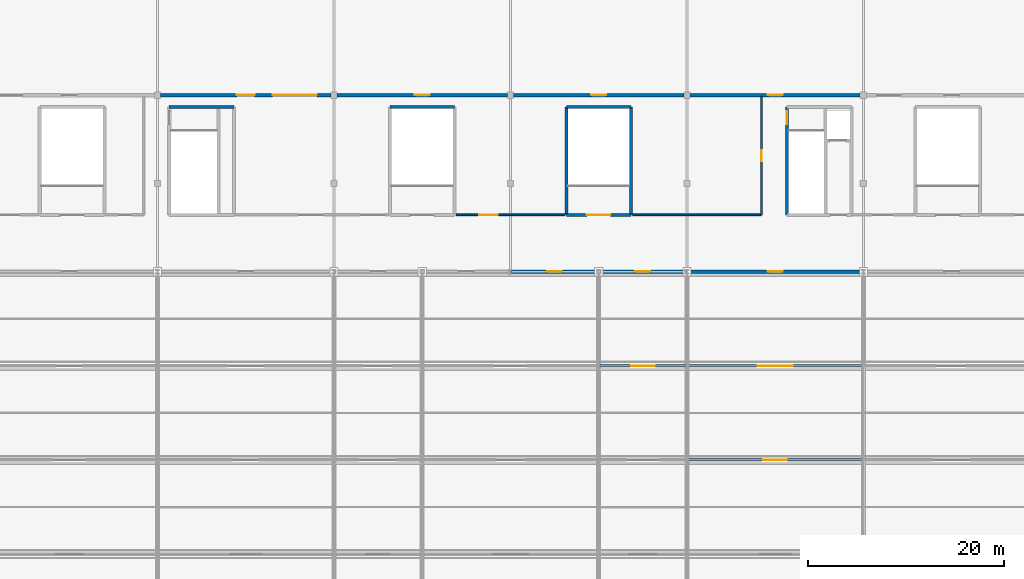
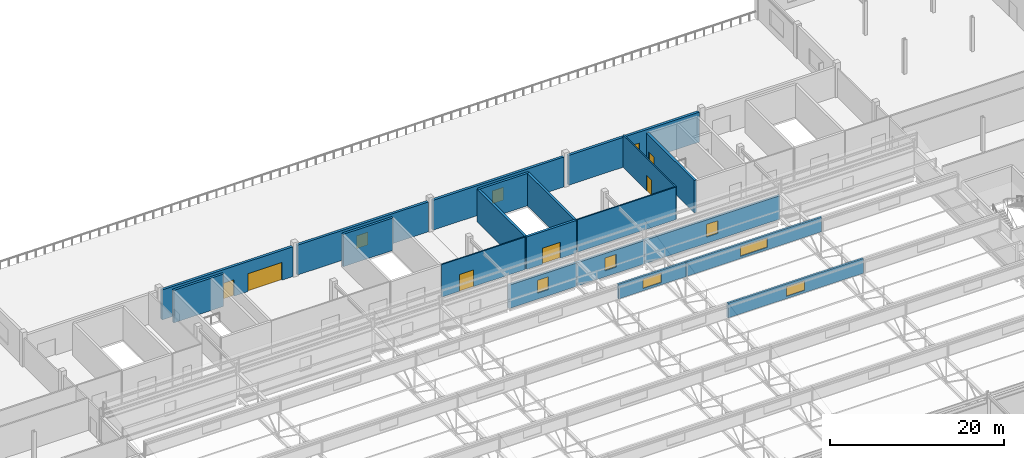
# One storey, part 102 of 136: 20 walls, 9 windows, 6 doors, 15 openings.
"""IFC4 building model written with IfcOpenShell, lengths in metres."""

from ifc_helpers import new_model, si_unit, direction, frame, frame_2d, origin, place, context, subcontext, project, spatial, rectangle, extrude, material, layer, layer_set, type_object, element, fill, save


model = new_model("IFC4")

# Units and contexts
model_context = context("Model", 3, precision=1e-05, world=origin(), true_north=direction((0.0, 1.0)))
body_context = subcontext(model_context, "Body", "Model", "MODEL_VIEW")
ifc_project = project(units=[si_unit("LENGTHUNIT", "METRE"), si_unit("AREAUNIT", "SQUARE_METRE"), si_unit("VOLUMEUNIT", "CUBIC_METRE"), si_unit("PLANEANGLEUNIT", "RADIAN"), si_unit("MASSUNIT", "GRAM", prefix="KILO")], contexts=[model_context])

# Site, building, storey
site_placement = place(None, origin())
site = spatial("IfcSite", under=ifc_project, at=site_placement, CompositionType="ELEMENT")
building_placement = place(site_placement, origin())
building = spatial("IfcBuilding", under=site, at=building_placement, Name="Kisiwana Market Hall", CompositionType="ELEMENT")
storey_placement = place(building_placement, frame((0.0, 0.0, 16.800048828125)))
storey = spatial("IfcBuildingStorey", under=building, at=storey_placement, Name="L03", CompositionType="ELEMENT", Elevation=16.800048828125)

# Wall
ifc_material_1 = material(Name="Concrete C40/50", Category="concrete")
ifc_layer_1 = layer(ifc_material_1, 0.320068359375, Name="Reinforced concrete shaft wall")
ifc_layer_set_1 = layer_set([ifc_layer_1], Name="WL-CORE-320")
wall_type_1 = type_object("IfcWallType", Name="WL-CORE-320", PredefinedType="SHEAR", material=ifc_layer_set_1)
wall_1_placement = place(storey_placement, frame((64.199951171875, 100.800048828125, 0.0), z_axis=(0.0, 0.0, 1.0), x_axis=(1.0, 0.0, 0.0)))
element("IfcWall", 1, at=wall_1_placement, inside=storey, type_object=wall_type_1, Name="Core N1 north wall W-1232", PredefinedType="SHEAR", context=body_context, shape_type="SweptSolid", body=[
    extrude(rectangle(XDim=6.60009765625, YDim=0.320068359375, at=frame_2d((3.300048828125, 0.0))), origin(), (0.0, 0.0, 1.0), 4.554931640625),
])

# Wall, opening, door
wall_2_placement = place(storey_placement, frame((127.199951171875, 89.800048828125, 0.0), z_axis=(0.0, 0.0, 1.0), x_axis=(0.0, 1.0, 0.0)))
wall_2 = element("IfcWall", 2, at=wall_2_placement, inside=storey, type_object=wall_type_1, Name="Core N2 west wall W-1238", PredefinedType="SHEAR", context=body_context, shape_type="SweptSolid", body=[
    extrude(rectangle(XDim=11.0, YDim=0.320068359375, at=frame_2d((5.5, 0.0))), origin(), (0.0, 0.0, 1.0), 4.554931640625),
])
opening_1_placement = place(wall_2_placement, frame((9.25, 0.0, 0.0)))
opening_1 = element("IfcOpeningElement", 3, at=opening_1_placement, cuts=wall_2, Name="Opening DR-L03-017", PredefinedType="OPENING", context=body_context, shape_type="SweptSolid", body=[
    extrude(rectangle(XDim=1.300048828125, YDim=2.199951171875, at=frame_2d((0.64990234375, 1.10009765625))), frame((0.0, 0.171875, 0.0), z_axis=(0.0, -1.0, 0.0), x_axis=(1.0, 0.0, 0.0)), (0.0, 0.0, 1.0), 0.343994140625),
])
ifc_material_2 = material(Name="Steel S275", Category="steel")
door_type_1 = type_object("IfcDoorType", Name="DR-STAIR-FD120-1300", OperationType="NOTDEFINED", PredefinedType="DOOR", material=ifc_material_2)
door_1_placement = place(opening_1_placement, origin())
door_1 = element("IfcDoor", 4, at=door_1_placement, inside=storey, type_object=door_type_1, Name="Podium Escape Stair N2 Fire Door (L03)", OperationType="SINGLE_SWING_RIGHT", OverallHeight=2.199951171875, OverallWidth=1.300048828125, PredefinedType="DOOR", context=body_context, shape_type="SweptSolid", body=[
    extrude(rectangle(XDim=1.300048828125, YDim=2.199951171875, at=frame_2d((0.64990234375, 1.10009765625))), frame((0.0, 0.02490234375, 0.0), z_axis=(0.0, -1.0, 0.0), x_axis=(1.0, 0.0, 0.0)), (0.0, 0.0, 1.0), 0.050048828125),
])
fill(opening_1, door_1)

# Wall
wall_3_placement = place(storey_placement, frame((86.699951171875, 100.800048828125, 0.0), z_axis=(0.0, 0.0, 1.0), x_axis=(1.0, 0.0, 0.0)))
element("IfcWall", 5, at=wall_3_placement, inside=storey, type_object=wall_type_1, Name="Core N4 outer shear wall W-1319", PredefinedType="SHEAR", context=body_context, shape_type="SweptSolid", body=[
    extrude(rectangle(XDim=6.60009765625, YDim=0.320068359375, at=frame_2d((3.300048828125, 0.0))), origin(), (0.0, 0.0, 1.0), 4.554931640625),
])

# Wall, opening, door
wall_4_placement = place(storey_placement, frame((104.699951171875, 89.800048828125, 0.0), z_axis=(0.0, 0.0, 1.0), x_axis=(1.0, 0.0, 0.0)))
wall_4 = element("IfcWall", 6, at=wall_4_placement, inside=storey, type_object=wall_type_1, Name="Core N5 corridor shear wall W-1326", PredefinedType="SHEAR", context=body_context, shape_type="SweptSolid", body=[
    extrude(rectangle(XDim=6.60009765625, YDim=0.320068359375, at=frame_2d((3.300048828125, 0.0))), origin(), (0.0, 0.0, 1.0), 4.554931640625),
])
opening_2_placement = place(wall_4_placement, frame((2.10009765625, 0.0, 0.0)))
opening_2 = element("IfcOpeningElement", 7, at=opening_2_placement, cuts=wall_4, Name="Opening DR-L03-038", PredefinedType="OPENING", context=body_context, shape_type="SweptSolid", body=[
    extrude(rectangle(XDim=2.39990234375, YDim=2.25, at=frame_2d((1.199951171875, 1.125))), frame((0.0, 0.171875, 0.0), z_axis=(0.0, -1.0, 0.0), x_axis=(1.0, 0.0, 0.0)), (0.0, 0.0, 1.0), 0.343994140625),
])
ifc_material_3 = material(Name="Steel S275", Category="steel")
door_type_2 = type_object("IfcDoorType", Name="DR-STAIR-FD120-2400", OperationType="DOUBLE_DOOR_SINGLE_SWING", PredefinedType="DOOR", material=ifc_material_3)
door_2_placement = place(opening_2_placement, origin())
door_2 = element("IfcDoor", 8, at=door_2_placement, inside=storey, type_object=door_type_2, Name="Escape Stair N5 Fire Door (L03)", OperationType="DOUBLE_DOOR_SINGLE_SWING", OverallHeight=2.25, OverallWidth=2.39990234375, PredefinedType="DOOR", context=body_context, shape_type="SweptSolid", body=[
    extrude(rectangle(XDim=2.39990234375, YDim=2.25, at=frame_2d((1.199951171875, 1.125))), frame((0.0, 0.02490234375, 0.0), z_axis=(0.0, -1.0, 0.0), x_axis=(1.0, 0.0, 0.0)), (0.0, 0.0, 1.0), 0.050048828125),
])
fill(opening_2, door_2)

# Walls
wall_5_placement = place(storey_placement, frame((104.699951171875, 100.800048828125, 0.0), z_axis=(0.0, 0.0, 1.0), x_axis=(1.0, 0.0, 0.0)))
element("IfcWall", 9, at=wall_5_placement, inside=storey, type_object=wall_type_1, Name="Core N5 outer shear wall W-1327", PredefinedType="SHEAR", context=body_context, shape_type="SweptSolid", body=[
    extrude(rectangle(XDim=6.60009765625, YDim=0.320068359375, at=frame_2d((3.300048828125, 0.0))), origin(), (0.0, 0.0, 1.0), 4.554931640625),
])
for number, where, z_axis, x_axis, name in (
    (10, (104.699951171875, 89.800048828125, 0.0), (0.0, 0.0, 1.0), (0.0, 1.0, 0.0), "Core N5 west shear wall W-1328"),
    (11, (111.300048828125, 89.800048828125, 0.0), (0.0, 0.0, 1.0), (0.0, 1.0, 0.0), "Core N5 east shear wall W-1329"),
):
    element("IfcWall", number, at=place(storey_placement, frame(where, z_axis=z_axis, x_axis=x_axis)), inside=storey, type_object=wall_type_1, Name=name, PredefinedType="SHEAR", context=body_context, shape_type="SweptSolid", body=[
        extrude(rectangle(XDim=11.0, YDim=0.320068359375, at=frame_2d((5.5, 0.0))), origin(), (0.0, 0.0, 1.0), 4.554931640625),
    ])

# Wall, opening, door
ifc_material_4 = material(Name="Masonry blockwork", Category="masonry")
ifc_layer_2 = layer(ifc_material_4, 0.169921875, Name="Protected corridor partition")
ifc_layer_set_2 = layer_set([ifc_layer_2], Name="WL-CORR-170")
wall_type_2 = type_object("IfcWallType", Name="WL-CORR-170", PredefinedType="PARTITIONING", material=ifc_layer_set_2)
wall_6_placement = place(storey_placement, frame((124.60009765625, 89.800048828125, 0.0), z_axis=(0.0, 0.0, 1.0), x_axis=(0.0, 1.0, 0.0)))
wall_6 = element("IfcWall", 12, at=wall_6_placement, inside=storey, type_object=wall_type_2, Name="Interior partition W-1504", PredefinedType="PARTITIONING", context=body_context, shape_type="SweptSolid", body=[
    extrude(rectangle(XDim=12.030029296875, YDim=0.169921875, at=frame_2d((6.01513671875, 0.0))), origin(), (0.0, 0.0, 1.0), 4.554931640625),
])
opening_3_placement = place(wall_6_placement, frame((5.449951171875, 0.0, 0.0)))
opening_3 = element("IfcOpeningElement", 13, at=opening_3_placement, cuts=wall_6, Name="Opening DR-L03-096", PredefinedType="OPENING", context=body_context, shape_type="SweptSolid", body=[
    extrude(rectangle(XDim=1.14990234375, YDim=2.14990234375, at=frame_2d((0.574951171875, 1.074951171875))), frame((0.0, 0.096923828125, 0.0), z_axis=(0.0, -1.0, 0.0), x_axis=(1.0, 0.0, 0.0)), (0.0, 0.0, 1.0), 0.19384765625),
])
ifc_material_5 = material(Name="Aluminium alloy 6063-T6", Category="aluminium")
door_type_3 = type_object("IfcDoorType", Name="DR-MEET-1150", OperationType="NOTDEFINED", PredefinedType="DOOR", material=ifc_material_5)
door_3_placement = place(opening_3_placement, origin())
door_3 = element("IfcDoor", 14, at=door_3_placement, inside=storey, type_object=door_type_3, Name="L03 E North Podium Briefing Suite Door", OperationType="SINGLE_SWING_LEFT", OverallHeight=2.14990234375, OverallWidth=1.14990234375, PredefinedType="DOOR", context=body_context, shape_type="SweptSolid", body=[
    extrude(rectangle(XDim=1.14990234375, YDim=2.14990234375, at=frame_2d((0.574951171875, 1.074951171875))), frame((0.0, 0.02490234375, 0.0), z_axis=(0.0, -1.0, 0.0), x_axis=(1.0, 0.0, 0.0)), (0.0, 0.0, 1.0), 0.050048828125),
])
fill(opening_3, door_3)

wall_7_placement = place(storey_placement, frame((93.4599609375, 89.800048828125, 0.0), z_axis=(0.0, 0.0, 1.0), x_axis=(1.0, 0.0, 0.0)))
wall_7 = element("IfcWall", 15, at=wall_7_placement, inside=storey, type_object=wall_type_2, Name="Interior partition W-1506", PredefinedType="PARTITIONING", context=body_context, shape_type="SweptSolid", body=[
    extrude(rectangle(XDim=11.080078125, YDim=0.169921875, at=frame_2d((5.5400390625, 0.0))), origin(), (0.0, 0.0, 1.0), 4.554931640625),
])
opening_4_placement = place(wall_7_placement, frame((2.340087890625, 0.0, 0.0)))
opening_4 = element("IfcOpeningElement", 16, at=opening_4_placement, cuts=wall_7, Name="Opening DR-L03-099", PredefinedType="OPENING", context=body_context, shape_type="SweptSolid", body=[
    extrude(rectangle(XDim=1.89990234375, YDim=2.35009765625, at=frame_2d((0.949951171875, 1.175048828125))), frame((0.0, 0.096923828125, 0.0), z_axis=(0.0, -1.0, 0.0), x_axis=(1.0, 0.0, 0.0)), (0.0, 0.0, 1.0), 0.19384765625),
])
ifc_material_6 = material(Name="Steel S275", Category="steel")
door_type_4 = type_object("IfcDoorType", Name="DR-HALL-1900", OperationType="DOUBLE_DOOR_SINGLE_SWING", PredefinedType="DOOR", material=ifc_material_6)
door_4_placement = place(opening_4_placement, origin())
door_4 = element("IfcDoor", 17, at=door_4_placement, inside=storey, type_object=door_type_4, Name="L03 North Briefing Suite Door", OperationType="DOUBLE_DOOR_SINGLE_SWING", OverallHeight=2.35009765625, OverallWidth=1.89990234375, PredefinedType="DOOR", context=body_context, shape_type="SweptSolid", body=[
    extrude(rectangle(XDim=1.89990234375, YDim=2.35009765625, at=frame_2d((0.949951171875, 1.175048828125))), frame((0.0, 0.02490234375, 0.0), z_axis=(0.0, -1.0, 0.0), x_axis=(1.0, 0.0, 0.0)), (0.0, 0.0, 1.0), 0.050048828125),
])
fill(opening_4, door_4)

# Wall
wall_8_placement = place(storey_placement, frame((111.4599609375, 89.800048828125, 0.0), z_axis=(0.0, 0.0, 1.0), x_axis=(1.0, 0.0, 0.0)))
element("IfcWall", 18, at=wall_8_placement, inside=storey, type_object=wall_type_2, Name="Interior partition W-1507", PredefinedType="PARTITIONING", context=body_context, shape_type="SweptSolid", body=[
    extrude(rectangle(XDim=13.14013671875, YDim=0.169921875, at=frame_2d((6.570068359375, 0.0))), origin(), (0.0, 0.0, 1.0), 4.554931640625),
])

# Wall, opening, window
ifc_material_7 = material(Name="Aluminium alloy 6063-T6", Category="aluminium")
ifc_layer_3 = layer(ifc_material_7, 0.06005859375, Name="Insulated metal-clad clerestory wall")
ifc_material_8 = material(Name="Mineral wool insulation")
ifc_layer_4 = layer(ifc_material_8, 0.10009765625, Name="Mineral wool core")
ifc_material_9 = material(Name="Masonry blockwork", Category="masonry")
ifc_layer_5 = layer(ifc_material_9, 0.10009765625, Name="Masonry backing")
ifc_layer_set_3 = layer_set([ifc_layer_3, ifc_layer_4, ifc_layer_5], Name="WL-EXT-CLER-260")
wall_type_3 = type_object("IfcWallType", Name="WL-EXT-CLER-260", PredefinedType="STANDARD", material=ifc_layer_set_3)
wall_9_placement = place(storey_placement, frame((117.0, 64.800048828125, 4.0048828125), z_axis=(0.0, 0.0, 1.0), x_axis=(1.0, 0.0, 0.0)))
wall_9 = element("IfcWall", 19, at=wall_9_placement, inside=storey, type_object=wall_type_3, Name="Sawtooth clerestory wall W-1429", PredefinedType="STANDARD", context=body_context, shape_type="SweptSolid", body=[
    extrude(rectangle(XDim=18.0, YDim=0.260009765625, at=frame_2d((9.0, 0.0))), origin(), (0.0, 0.0, 1.0), 2.049072265625),
])
opening_5_placement = place(wall_9_placement, frame((7.800048828125, 0.0, 0.320068359375)))
opening_5 = element("IfcOpeningElement", 20, at=opening_5_placement, cuts=wall_9, Name="Opening W-42", PredefinedType="OPENING", context=body_context, shape_type="SweptSolid", body=[
    extrude(rectangle(XDim=2.39990234375, YDim=1.35009765625, at=frame_2d((1.199951171875, 0.675048828125))), frame((0.0, 0.14208984375, 0.0), z_axis=(0.0, -1.0, 0.0), x_axis=(1.0, 0.0, 0.0)), (0.0, 0.0, 1.0), 0.283935546875),
])
ifc_material_10 = material(Name="Double-glazed solar-control low-E IGU", Category="glass")
window_type_1 = type_object("IfcWindowType", Name="WN-CLER-2400x1400", PartitioningType="SINGLE_PANEL", PredefinedType="SKYLIGHT", material=ifc_material_10)
window_1_placement = place(opening_5_placement, origin())
window_1 = element("IfcWindow", 21, at=window_1_placement, inside=storey, type_object=window_type_1, Name="North-light sawtooth clerestory WN-060", OverallHeight=1.35009765625, OverallWidth=2.39990234375, PartitioningType="SINGLE_PANEL", PredefinedType="SKYLIGHT", context=body_context, shape_type="SweptSolid", body=[
    extrude(rectangle(XDim=2.39990234375, YDim=1.35009765625, at=frame_2d((1.199951171875, 0.675048828125))), frame((0.0, 0.030029296875, 0.0), z_axis=(0.0, -1.0, 0.0), x_axis=(1.0, 0.0, 0.0)), (0.0, 0.0, 1.0), 0.06005859375),
])
fill(opening_5, window_1)

wall_10_placement = place(storey_placement, frame((108.0, 74.39990234375, 4.0048828125), z_axis=(0.0, 0.0, 1.0), x_axis=(1.0, 0.0, 0.0)))
wall_10 = element("IfcWall", 22, at=wall_10_placement, inside=storey, type_object=wall_type_3, Name="Sawtooth clerestory wall W-1435", PredefinedType="STANDARD", context=body_context, shape_type="SweptSolid", body=[
    extrude(rectangle(XDim=9.0, YDim=0.260009765625, at=frame_2d((4.5, 0.0))), origin(), (0.0, 0.0, 1.0), 2.049072265625),
])
opening_6_placement = place(wall_10_placement, frame((3.300048828125, 0.0, 0.320068359375)))
opening_6 = element("IfcOpeningElement", 23, at=opening_6_placement, cuts=wall_10, Name="Opening W-42", PredefinedType="OPENING", context=body_context, shape_type="SweptSolid", body=[
    extrude(rectangle(XDim=2.39990234375, YDim=1.35009765625, at=frame_2d((1.199951171875, 0.675048828125))), frame((0.0, 0.14208984375, 0.0), z_axis=(0.0, -1.0, 0.0), x_axis=(1.0, 0.0, 0.0)), (0.0, 0.0, 1.0), 0.283935546875),
])
window_2_placement = place(opening_6_placement, origin())
window_2 = element("IfcWindow", 24, at=window_2_placement, inside=storey, type_object=window_type_1, Name="North-light sawtooth clerestory WN-062", OverallHeight=1.35009765625, OverallWidth=2.39990234375, PartitioningType="SINGLE_PANEL", PredefinedType="SKYLIGHT", context=body_context, shape_type="SweptSolid", body=[
    extrude(rectangle(XDim=2.39990234375, YDim=1.35009765625, at=frame_2d((1.199951171875, 0.675048828125))), frame((0.0, 0.030029296875, 0.0), z_axis=(0.0, -1.0, 0.0), x_axis=(1.0, 0.0, 0.0)), (0.0, 0.0, 1.0), 0.06005859375),
])
fill(opening_6, window_2)

wall_11_placement = place(storey_placement, frame((117.0, 74.39990234375, 4.0048828125), z_axis=(0.0, 0.0, 1.0), x_axis=(1.0, 0.0, 0.0)))
wall_11 = element("IfcWall", 25, at=wall_11_placement, inside=storey, type_object=wall_type_3, Name="Sawtooth clerestory wall W-1436", PredefinedType="STANDARD", context=body_context, shape_type="SweptSolid", body=[
    extrude(rectangle(XDim=18.0, YDim=0.260009765625, at=frame_2d((9.0, 0.0))), origin(), (0.0, 0.0, 1.0), 2.049072265625),
])
opening_7_placement = place(wall_11_placement, frame((7.199951171875, 0.0, 0.320068359375)))
opening_7 = element("IfcOpeningElement", 26, at=opening_7_placement, cuts=wall_11, Name="Opening WN-09", PredefinedType="OPENING", context=body_context, shape_type="SweptSolid", body=[
    extrude(rectangle(XDim=3.60009765625, YDim=1.35009765625, at=frame_2d((1.800048828125, 0.675048828125))), frame((0.0, 0.14208984375, 0.0), z_axis=(0.0, -1.0, 0.0), x_axis=(1.0, 0.0, 0.0)), (0.0, 0.0, 1.0), 0.283935546875),
])
ifc_material_11 = material(Name="Double-glazed solar-control low-E IGU", Category="glass")
window_type_2 = type_object("IfcWindowType", Name="WN-CLER-3600x1500", PartitioningType="SINGLE_PANEL", PredefinedType="SKYLIGHT", material=ifc_material_11)
window_3_placement = place(opening_7_placement, origin())
window_3 = element("IfcWindow", 27, at=window_3_placement, inside=storey, type_object=window_type_2, Name="North-light sawtooth clerestory WN-069", OverallHeight=1.35009765625, OverallWidth=3.60009765625, PartitioningType="SINGLE_PANEL", PredefinedType="SKYLIGHT", context=body_context, shape_type="SweptSolid", body=[
    extrude(rectangle(XDim=3.60009765625, YDim=1.35009765625, at=frame_2d((1.800048828125, 0.675048828125))), frame((0.0, 0.030029296875, 0.0), z_axis=(0.0, -1.0, 0.0), x_axis=(1.0, 0.0, 0.0)), (0.0, 0.0, 1.0), 0.06005859375),
])
fill(opening_7, window_3)

ifc_material_12 = material(Name="Concrete C40/50 precast", Category="concrete")
ifc_layer_6 = layer(ifc_material_12, 0.14990234375, Name="Precast architectural concrete spandrel")
ifc_material_13 = material(Name="Mineral wool insulation")
ifc_layer_7 = layer(ifc_material_13, 0.090087890625, Name="Rockwool thermal insulation")
ifc_material_14 = material(Name="Masonry blockwork", Category="masonry")
ifc_layer_8 = layer(ifc_material_14, 0.10009765625, Name="Inner masonry block leaf")
ifc_layer_set_4 = layer_set([ifc_layer_6, ifc_layer_7, ifc_layer_8], Name="WL-EXT-PREC-340")
wall_type_4 = type_object("IfcWallType", Name="WL-EXT-PREC-340", PredefinedType="STANDARD", material=ifc_layer_set_4)
wall_12_placement = place(storey_placement, frame((99.010009765625, 84.0, 0.0), z_axis=(0.0, 0.0, 1.0), x_axis=(1.0, 0.0, 0.0)))
wall_12 = element("IfcWall", 28, at=wall_12_placement, inside=storey, type_object=wall_type_4, Name="Exterior wall W-1364", PredefinedType="STANDARD", context=body_context, shape_type="SweptSolid", body=[
    extrude(rectangle(XDim=8.97998046875, YDim=0.340087890625, at=frame_2d((4.489990234375, 0.0))), origin(), (0.0, 0.0, 1.0), 3.27685546875),
])
opening_8_placement = place(wall_12_placement, frame((3.739990234375, 0.0, 0.85009765625)))
opening_8 = element("IfcOpeningElement", 29, at=opening_8_placement, cuts=wall_12, Name="Opening WN-14", PredefinedType="OPENING", context=body_context, shape_type="SweptSolid", body=[
    extrude(rectangle(XDim=1.5, YDim=1.800048828125, at=frame_2d((0.75, 0.89990234375))), frame((0.0, 0.18212890625, 0.0), z_axis=(0.0, -1.0, 0.0), x_axis=(1.0, 0.0, 0.0)), (0.0, 0.0, 1.0), 0.364013671875),
])
ifc_material_15 = material(Name="Double-glazed solar-control low-E IGU", Category="glass")
window_type_3 = type_object("IfcWindowType", Name="WN-POD-1500x1800", PartitioningType="SINGLE_PANEL", PredefinedType="WINDOW", material=ifc_material_15)
window_4_placement = place(opening_8_placement, origin())
window_4 = element("IfcWindow", 30, at=window_4_placement, inside=storey, type_object=window_type_3, Name="Exterior window WN-095", OverallHeight=1.800048828125, OverallWidth=1.5, PartitioningType="SINGLE_PANEL", PredefinedType="WINDOW", context=body_context, shape_type="SweptSolid", body=[
    extrude(rectangle(XDim=1.5, YDim=1.800048828125, at=frame_2d((0.75, 0.89990234375))), frame((0.0, 0.030029296875, 0.0), z_axis=(0.0, -1.0, 0.0), x_axis=(1.0, 0.0, 0.0)), (0.0, 0.0, 1.0), 0.06005859375),
])
fill(opening_8, window_4)

wall_13_placement = place(storey_placement, frame((108.010009765625, 84.0, 0.0), z_axis=(0.0, 0.0, 1.0), x_axis=(1.0, 0.0, 0.0)))
wall_13 = element("IfcWall", 31, at=wall_13_placement, inside=storey, type_object=wall_type_4, Name="Exterior wall W-1365", PredefinedType="STANDARD", context=body_context, shape_type="SweptSolid", body=[
    extrude(rectangle(XDim=8.97998046875, YDim=0.340087890625, at=frame_2d((4.489990234375, 0.0))), origin(), (0.0, 0.0, 1.0), 3.27685546875),
])
opening_9_placement = place(wall_13_placement, frame((3.739990234375, 0.0, 0.85009765625)))
opening_9 = element("IfcOpeningElement", 32, at=opening_9_placement, cuts=wall_13, Name="Opening WN-14", PredefinedType="OPENING", context=body_context, shape_type="SweptSolid", body=[
    extrude(rectangle(XDim=1.5, YDim=1.800048828125, at=frame_2d((0.75, 0.89990234375))), frame((0.0, 0.18212890625, 0.0), z_axis=(0.0, -1.0, 0.0), x_axis=(1.0, 0.0, 0.0)), (0.0, 0.0, 1.0), 0.364013671875),
])
window_5_placement = place(opening_9_placement, origin())
window_5 = element("IfcWindow", 33, at=window_5_placement, inside=storey, type_object=window_type_3, Name="Exterior window WN-096", OverallHeight=1.800048828125, OverallWidth=1.5, PartitioningType="SINGLE_PANEL", PredefinedType="WINDOW", context=body_context, shape_type="SweptSolid", body=[
    extrude(rectangle(XDim=1.5, YDim=1.800048828125, at=frame_2d((0.75, 0.89990234375))), frame((0.0, 0.030029296875, 0.0), z_axis=(0.0, -1.0, 0.0), x_axis=(1.0, 0.0, 0.0)), (0.0, 0.0, 1.0), 0.06005859375),
])
fill(opening_9, window_5)

wall_14_placement = place(storey_placement, frame((117.010009765625, 84.0, 0.0), z_axis=(0.0, 0.0, 1.0), x_axis=(1.0, 0.0, 0.0)))
wall_14 = element("IfcWall", 34, at=wall_14_placement, inside=storey, type_object=wall_type_4, Name="Exterior wall W-1366", PredefinedType="STANDARD", context=body_context, shape_type="SweptSolid", body=[
    extrude(rectangle(XDim=17.97998046875, YDim=0.340087890625, at=frame_2d((8.989990234375, 0.0))), origin(), (0.0, 0.0, 1.0), 3.27685546875),
])
opening_10_placement = place(wall_14_placement, frame((8.239990234375, 0.0, 0.85009765625)))
opening_10 = element("IfcOpeningElement", 35, at=opening_10_placement, cuts=wall_14, Name="Opening WN-14", PredefinedType="OPENING", context=body_context, shape_type="SweptSolid", body=[
    extrude(rectangle(XDim=1.5, YDim=1.800048828125, at=frame_2d((0.75, 0.89990234375))), frame((0.0, 0.18212890625, 0.0), z_axis=(0.0, -1.0, 0.0), x_axis=(1.0, 0.0, 0.0)), (0.0, 0.0, 1.0), 0.364013671875),
])
window_6_placement = place(opening_10_placement, origin())
window_6 = element("IfcWindow", 36, at=window_6_placement, inside=storey, type_object=window_type_3, Name="Exterior window WN-097", OverallHeight=1.800048828125, OverallWidth=1.5, PartitioningType="SINGLE_PANEL", PredefinedType="WINDOW", context=body_context, shape_type="SweptSolid", body=[
    extrude(rectangle(XDim=1.5, YDim=1.800048828125, at=frame_2d((0.75, 0.89990234375))), frame((0.0, 0.030029296875, 0.0), z_axis=(0.0, -1.0, 0.0), x_axis=(1.0, 0.0, 0.0)), (0.0, 0.0, 1.0), 0.06005859375),
])
fill(opening_10, window_6)

# Wall, openings, doors
wall_15_placement = place(storey_placement, frame((63.31689453125, 102.0, 0.0), z_axis=(0.0, 0.0, 1.0), x_axis=(1.0, 0.0, 0.0)))
wall_15 = element("IfcWall", 37, at=wall_15_placement, inside=storey, type_object=wall_type_4, Name="Exterior wall W-1369", PredefinedType="STANDARD", context=body_context, shape_type="SweptSolid", body=[
    extrude(rectangle(XDim=17.3662109375, YDim=0.340087890625, at=frame_2d((8.68310546875, 0.0))), origin(), (0.0, 0.0, 1.0), 4.195068359375),
])
opening_11_placement = place(wall_15_placement, frame((7.782958984375, 0.0, 0.0)))
opening_11 = element("IfcOpeningElement", 38, at=opening_11_placement, cuts=wall_15, Name="Opening DR-L03-977", PredefinedType="OPENING", context=body_context, shape_type="SweptSolid", body=[
    extrude(rectangle(XDim=1.800048828125, YDim=2.300048828125, at=frame_2d((0.89990234375, 1.14990234375))), frame((0.0, 0.18212890625, 0.0), z_axis=(0.0, -1.0, 0.0), x_axis=(1.0, 0.0, 0.0)), (0.0, 0.0, 1.0), 0.364013671875),
])
opening_12_placement = place(wall_15_placement, frame((11.43310546875, 0.0, 0.0)))
opening_12 = element("IfcOpeningElement", 39, at=opening_12_placement, cuts=wall_15, Name="Opening DR-L03-982", PredefinedType="OPENING", context=body_context, shape_type="SweptSolid", body=[
    extrude(rectangle(XDim=4.5, YDim=2.5, at=frame_2d((2.25, 1.25))), frame((0.0, 0.18212890625, 0.0), z_axis=(0.0, -1.0, 0.0), x_axis=(1.0, 0.0, 0.0)), (0.0, 0.0, 1.0), 0.364013671875),
])
ifc_material_16 = material(Name="Aluminium alloy 6063-T6", Category="aluminium")
door_type_5 = type_object("IfcDoorType", Name="DR-EXT-TERR-1800", OperationType="DOUBLE_DOOR_SINGLE_SWING", PredefinedType="DOOR", material=ifc_material_16)
door_5_placement = place(opening_11_placement, frame((1.800048828125, 0.0, 0.0), z_axis=(0.0, 0.0, 1.0), x_axis=(-1.0, 0.0, 0.0)))
door_5 = element("IfcDoor", 40, at=door_5_placement, inside=storey, type_object=door_type_5, Name="Exterior terrace access door DR-L03-977", OperationType="DOUBLE_DOOR_SINGLE_SWING", OverallHeight=2.300048828125, OverallWidth=1.800048828125, PredefinedType="DOOR", context=body_context, shape_type="SweptSolid", body=[
    extrude(rectangle(XDim=1.800048828125, YDim=2.300048828125, at=frame_2d((0.89990234375, 1.14990234375))), frame((0.0, 0.02490234375, 0.0), z_axis=(0.0, -1.0, 0.0), x_axis=(1.0, 0.0, 0.0)), (0.0, 0.0, 1.0), 0.050048828125),
])
fill(opening_11, door_5)
ifc_material_17 = material(Name="Aluminium alloy 6063-T6", Category="aluminium")
door_type_6 = type_object("IfcDoorType", Name="DR-EXT-TERR-4500", OperationType="DOUBLE_DOOR_SLIDING", PredefinedType="DOOR", material=ifc_material_17)
door_6_placement = place(opening_12_placement, origin())
door_6 = element("IfcDoor", 41, at=door_6_placement, inside=storey, type_object=door_type_6, Name="Exterior terrace access door DR-L03-982", OperationType="DOUBLE_DOOR_SLIDING", OverallHeight=2.5, OverallWidth=4.5, PredefinedType="DOOR", context=body_context, shape_type="SweptSolid", body=[
    extrude(rectangle(XDim=4.5, YDim=2.5, at=frame_2d((2.25, 1.25))), frame((0.0, 0.02490234375, 0.0), z_axis=(0.0, -1.0, 0.0), x_axis=(1.0, 0.0, 0.0)), (0.0, 0.0, 1.0), 0.050048828125),
])
fill(opening_12, door_6)

# Wall, opening, window
wall_16_placement = place(storey_placement, frame((81.31689453125, 102.0, 0.0), z_axis=(0.0, 0.0, 1.0), x_axis=(1.0, 0.0, 0.0)))
wall_16 = element("IfcWall", 42, at=wall_16_placement, inside=storey, type_object=wall_type_4, Name="Exterior wall W-1370", PredefinedType="STANDARD", context=body_context, shape_type="SweptSolid", body=[
    extrude(rectangle(XDim=17.3662109375, YDim=0.340087890625, at=frame_2d((8.68310546875, 0.0))), origin(), (0.0, 0.0, 1.0), 4.195068359375),
])
opening_13_placement = place(wall_16_placement, frame((7.93310546875, 0.0, 0.85009765625)))
opening_13 = element("IfcOpeningElement", 43, at=opening_13_placement, cuts=wall_16, Name="Opening WN-14", PredefinedType="OPENING", context=body_context, shape_type="SweptSolid", body=[
    extrude(rectangle(XDim=1.5, YDim=1.800048828125, at=frame_2d((0.75, 0.89990234375))), frame((0.0, 0.18212890625, 0.0), z_axis=(0.0, -1.0, 0.0), x_axis=(1.0, 0.0, 0.0)), (0.0, 0.0, 1.0), 0.364013671875),
])
window_7_placement = place(opening_13_placement, origin())
window_7 = element("IfcWindow", 44, at=window_7_placement, inside=storey, type_object=window_type_3, Name="Exterior window WN-100", OverallHeight=1.800048828125, OverallWidth=1.5, PartitioningType="SINGLE_PANEL", PredefinedType="WINDOW", context=body_context, shape_type="SweptSolid", body=[
    extrude(rectangle(XDim=1.5, YDim=1.800048828125, at=frame_2d((0.75, 0.89990234375))), frame((0.0, 0.030029296875, 0.0), z_axis=(0.0, -1.0, 0.0), x_axis=(1.0, 0.0, 0.0)), (0.0, 0.0, 1.0), 0.06005859375),
])
fill(opening_13, window_7)

wall_17_placement = place(storey_placement, frame((99.31689453125, 102.0, 0.0), z_axis=(0.0, 0.0, 1.0), x_axis=(1.0, 0.0, 0.0)))
wall_17 = element("IfcWall", 45, at=wall_17_placement, inside=storey, type_object=wall_type_4, Name="Exterior wall W-1371", PredefinedType="STANDARD", context=body_context, shape_type="SweptSolid", body=[
    extrude(rectangle(XDim=17.3662109375, YDim=0.340087890625, at=frame_2d((8.68310546875, 0.0))), origin(), (0.0, 0.0, 1.0), 4.195068359375),
])
opening_14_placement = place(wall_17_placement, frame((7.93310546875, 0.0, 0.85009765625)))
opening_14 = element("IfcOpeningElement", 46, at=opening_14_placement, cuts=wall_17, Name="Opening WN-14", PredefinedType="OPENING", context=body_context, shape_type="SweptSolid", body=[
    extrude(rectangle(XDim=1.5, YDim=1.800048828125, at=frame_2d((0.75, 0.89990234375))), frame((0.0, 0.18212890625, 0.0), z_axis=(0.0, -1.0, 0.0), x_axis=(1.0, 0.0, 0.0)), (0.0, 0.0, 1.0), 0.364013671875),
])
window_8_placement = place(opening_14_placement, origin())
window_8 = element("IfcWindow", 47, at=window_8_placement, inside=storey, type_object=window_type_3, Name="Exterior window WN-101", OverallHeight=1.800048828125, OverallWidth=1.5, PartitioningType="SINGLE_PANEL", PredefinedType="WINDOW", context=body_context, shape_type="SweptSolid", body=[
    extrude(rectangle(XDim=1.5, YDim=1.800048828125, at=frame_2d((0.75, 0.89990234375))), frame((0.0, 0.030029296875, 0.0), z_axis=(0.0, -1.0, 0.0), x_axis=(1.0, 0.0, 0.0)), (0.0, 0.0, 1.0), 0.06005859375),
])
fill(opening_14, window_8)

wall_18_placement = place(storey_placement, frame((117.31689453125, 102.0, 0.0), z_axis=(0.0, 0.0, 1.0), x_axis=(1.0, 0.0, 0.0)))
wall_18 = element("IfcWall", 48, at=wall_18_placement, inside=storey, type_object=wall_type_4, Name="Exterior wall W-1372", PredefinedType="STANDARD", context=body_context, shape_type="SweptSolid", body=[
    extrude(rectangle(XDim=17.3662109375, YDim=0.340087890625, at=frame_2d((8.68310546875, 0.0))), origin(), (0.0, 0.0, 1.0), 4.195068359375),
])
opening_15_placement = place(wall_18_placement, frame((7.93310546875, 0.0, 0.85009765625)))
opening_15 = element("IfcOpeningElement", 49, at=opening_15_placement, cuts=wall_18, Name="Opening WN-14", PredefinedType="OPENING", context=body_context, shape_type="SweptSolid", body=[
    extrude(rectangle(XDim=1.5, YDim=1.800048828125, at=frame_2d((0.75, 0.89990234375))), frame((0.0, 0.18212890625, 0.0), z_axis=(0.0, -1.0, 0.0), x_axis=(1.0, 0.0, 0.0)), (0.0, 0.0, 1.0), 0.364013671875),
])
window_9_placement = place(opening_15_placement, origin())
window_9 = element("IfcWindow", 50, at=window_9_placement, inside=storey, type_object=window_type_3, Name="Exterior window WN-102", OverallHeight=1.800048828125, OverallWidth=1.5, PartitioningType="SINGLE_PANEL", PredefinedType="WINDOW", context=body_context, shape_type="SweptSolid", body=[
    extrude(rectangle(XDim=1.5, YDim=1.800048828125, at=frame_2d((0.75, 0.89990234375))), frame((0.0, 0.030029296875, 0.0), z_axis=(0.0, -1.0, 0.0), x_axis=(1.0, 0.0, 0.0)), (0.0, 0.0, 1.0), 0.06005859375),
])
fill(opening_15, window_9)

save(model, "model.ifc")
